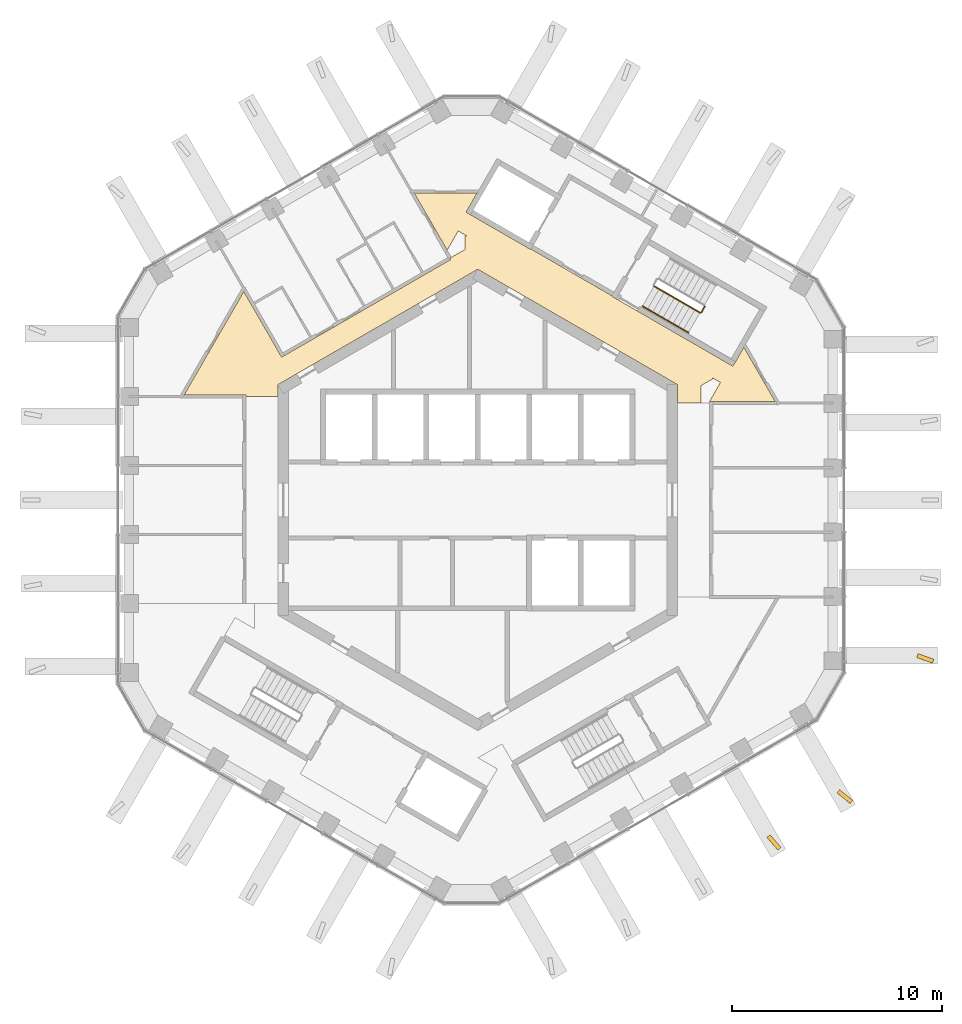
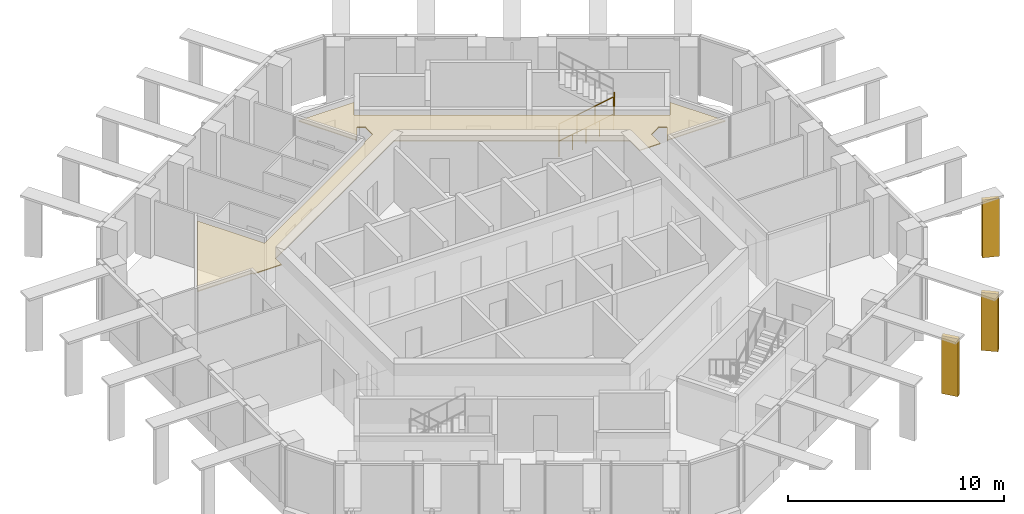
# One storey, part 17 of 19: 4 railings, 3 shading devices, 1 covering.
"""IFC4 building model written with IfcOpenShell, lengths in metres."""

import ifcopenshell
import ifcopenshell.guid

model = None  # the IFC model being written
_history = None  # IfcOwnerHistory: only IFC2X3 demands one
_inside = {}  # id of a spatial element -> (the spatial element, [elements in it])
_under = {}  # id of a project, library or spatial element -> (it, [spatial elements below it])
_declared = {}  # id of a project -> (the project, [libraries it declares])
_typed = {}  # id of a type object -> (the type object, [elements of that type])
_made_of = {}  # id of a material, layer set ... -> (it, [elements and type objects made of it])


def new_model(schema):
    """Start an empty IFC model of exactly this schema.

    Asked for "IFC4X3", IfcOpenShell would pick the latest addendum, in which some entities
    have other attributes; the version numbers below select the first issue.
    IFC2X3 requires an IfcOwnerHistory on every rooted entity: one is made here for all.
    """
    global model, _history
    if schema == "IFC4X3":
        model = ifcopenshell.file(schema_version=(4, 3, 0, 0))
    else:
        model = ifcopenshell.file(schema=schema)
    _inside.clear()
    _under.clear()
    _declared.clear()
    _typed.clear()
    _made_of.clear()
    _history = None
    if model.schema == "IFC2X3":
        org = make("IfcOrganization", Name="unknown")
        user = make(
            "IfcPersonAndOrganization",
            ThePerson=make("IfcPerson", FamilyName="unknown"),
            TheOrganization=org,
        )
        app = make(
            "IfcApplication",
            ApplicationDeveloper=org,
            Version="unknown",
            ApplicationFullName="unknown",
            ApplicationIdentifier="unknown",
        )
        _history = make(
            "IfcOwnerHistory",
            OwningUser=user,
            OwningApplication=app,
            ChangeAction="ADDED",
            CreationDate=0,
        )
    return model


def make(cls, **values):
    """One entity of the class cls with the attributes given. An attribute that is None is left unset."""
    return model.create_entity(
        cls, **{name: value for name, value in values.items() if value is not None}
    )


def rooted(cls, **values):
    """An entity with a GlobalId (a new one), such as an element, a storey or a relation."""
    return make(cls, GlobalId=ifcopenshell.guid.new(), OwnerHistory=_history, **values)


def si_unit(unit_type, name, prefix=None):
    """IfcSIUnit, for example si_unit("LENGTHUNIT", "METRE", prefix="MILLI")."""
    return make("IfcSIUnit", UnitType=unit_type, Prefix=prefix, Name=name)


def assignment(units):
    """IfcUnitAssignment: the units of a project."""
    return None if units is None else make("IfcUnitAssignment", Units=units)


def point(xyz):
    """IfcCartesianPoint."""
    return None if xyz is None else make("IfcCartesianPoint", Coordinates=xyz)


def direction(xyz):
    """IfcDirection."""
    return None if xyz is None else make("IfcDirection", DirectionRatios=xyz)


def frame(location, z_axis=None, x_axis=None):
    """IfcAxis2Placement3D, a coordinate frame: its origin and axes. An axis left out is left unset."""
    return make(
        "IfcAxis2Placement3D",
        Location=point(location),
        Axis=direction(z_axis),
        RefDirection=direction(x_axis),
    )


def frame_2d(location, x_axis=None):
    """IfcAxis2Placement2D, a coordinate frame in the plane: its origin and x axis."""
    return make(
        "IfcAxis2Placement2D", Location=point(location), RefDirection=direction(x_axis)
    )


def origin():
    """The frame at (0, 0, 0) with its axes left unset."""
    return frame((0.0, 0.0, 0.0))


def origin_2d():
    """The frame at (0, 0) in the plane with its x axis left unset."""
    return frame_2d((0.0, 0.0))


def place(relative_to, where):
    """IfcLocalPlacement: puts the frame where relative to a parent placement (None: the world)."""
    return make(
        "IfcLocalPlacement", PlacementRelTo=relative_to, RelativePlacement=where
    )


def context(
    kind, dimensions, precision=None, world=None, true_north=None, identifier=None
):
    """IfcGeometricRepresentationContext, for example the 3D "Model" context."""
    return make(
        "IfcGeometricRepresentationContext",
        ContextIdentifier=identifier,
        ContextType=kind,
        CoordinateSpaceDimension=dimensions,
        Precision=precision,
        WorldCoordinateSystem=world,
        TrueNorth=true_north,
    )


def subcontext(parent, identifier, kind, view, scale=None):
    """IfcGeometricRepresentationSubContext, for example "Body" below "Model"."""
    return make(
        "IfcGeometricRepresentationSubContext",
        ContextIdentifier=identifier,
        ContextType=kind,
        ParentContext=parent,
        TargetScale=scale,
        TargetView=view,
    )


def project(units=None, contexts=None):
    """IfcProject with its units and contexts."""
    return rooted(
        "IfcProject",
        Name="project",
        RepresentationContexts=contexts,
        UnitsInContext=assignment(units),
    )


def spatial(cls, under=None, at=None, **own):
    """A site, building, storey or space (cls), placed at a placement, below another one or the project."""
    s = rooted(cls, ObjectPlacement=at, **own)
    if under is not None:
        _under.setdefault(under.id(), (under, []))[1].append(s)
    return s


def polyline(points):
    """IfcPolyline through the points."""
    return make("IfcPolyline", Points=[point(p) for p in points])


def profile(cls, at=None, kind="AREA", **sizes):
    """A parametric profile (cls). Its sizes go by their IFC names, for example OverallWidth=200.0."""
    return make(cls, ProfileType=kind, Position=at, **sizes)


def circle(**sizes):
    """IfcCircleProfileDef."""
    return profile("IfcCircleProfileDef", **sizes)


def outline(outer, holes=None, kind="AREA"):
    """IfcArbitraryClosedProfileDef: a profile drawn as a closed curve; with holes, ...WithVoids."""
    if holes is None:
        return make("IfcArbitraryClosedProfileDef", ProfileType=kind, OuterCurve=outer)
    return make(
        "IfcArbitraryProfileDefWithVoids",
        ProfileType=kind,
        OuterCurve=outer,
        InnerCurves=holes,
    )


def extrude(swept, where, along, depth):
    """IfcExtrudedAreaSolid: the profile swept, set in the frame where, extruded along a direction by depth."""
    return make(
        "IfcExtrudedAreaSolid",
        SweptArea=swept,
        Position=where,
        ExtrudedDirection=direction(along),
        Depth=depth,
    )


def shape(context_of_items, identifier, shape_type, items):
    """IfcShapeRepresentation: the items that make up one representation, for example the "Body"."""
    return make(
        "IfcShapeRepresentation",
        ContextOfItems=context_of_items,
        RepresentationIdentifier=identifier,
        RepresentationType=shape_type,
        Items=items,
    )


def material(Name=None, Category=None):
    """IfcMaterial."""
    return make("IfcMaterial", Name=Name, Category=Category)


def layer(
    of_material, thickness, ventilated=None, Name=None, Category=None, Priority=None
):
    """IfcMaterialLayer: one layer of a wall or slab, of a material (None: an air gap)."""
    return make(
        "IfcMaterialLayer",
        Material=of_material,
        LayerThickness=thickness,
        IsVentilated=ventilated,
        Name=Name,
        Category=Category,
        Priority=Priority,
    )


def layer_set(layers, Name=None):
    """IfcMaterialLayerSet."""
    return make("IfcMaterialLayerSet", MaterialLayers=layers, LayerSetName=Name)


def made_of(thing, what):
    """Note that an element or type object is made of a material, layer set ...; save() writes the relation."""
    if what is not None:
        _made_of.setdefault(what.id(), (what, []))[1].append(thing)
    return thing


def type_object(cls, material=None, **own):
    """A type object (cls), such as IfcWallType, which elements share."""
    return made_of(rooted(cls, **own), material)


def element(
    cls,
    number,
    at=None,
    inside=None,
    cuts=None,
    type_object=None,
    material=None,
    context=None,
    identifier="Body",
    shape_type=None,
    held_by="IfcProductDefinitionShape",
    body=None,
    shapes=None,
    **own,
):
    """One element of the class cls, such as IfcWall. Its Tag is "e" and its number.

    at: its placement. inside: the storey or other place that contains it. cuts: it is an
    opening in that element (IfcRelVoidsElement). A single representation is given by context,
    identifier, shape_type and body (its items); several are given by shapes. held_by: the class
    of the entity that holds the representations. save() writes the other relations.
    """
    e = rooted(cls, Tag="e%d" % number, ObjectPlacement=at, **own)
    if body is not None:
        shapes = [shape(context, identifier, shape_type, body)]
    if shapes is not None:
        e.Representation = make(held_by, Representations=shapes)
    if inside is not None:
        _inside.setdefault(inside.id(), (inside, []))[1].append(e)
    if cuts is not None:
        rooted(
            "IfcRelVoidsElement", RelatingBuildingElement=cuts, RelatedOpeningElement=e
        )
    if type_object is not None:
        _typed.setdefault(type_object.id(), (type_object, []))[1].append(e)
    return made_of(e, material)


def aggregate(whole, parts):
    """IfcRelAggregates: a whole, such as a stair, and the parts it consists of."""
    return rooted("IfcRelAggregates", RelatingObject=whole, RelatedObjects=parts)


def save(model, path):
    """Write the relations noted so far, then the file.

    IfcRelAggregates (storeys below a building ...), IfcRelContainedInSpatialStructure (elements
    in a storey), IfcRelDefinesByType, IfcRelAssociatesMaterial and IfcRelDeclares: one each for
    every whole, place, type object, material and project.
    """
    for whole, parts in _under.values():
        aggregate(whole, parts)
    for where, things in _inside.values():
        rooted(
            "IfcRelContainedInSpatialStructure",
            RelatedElements=things,
            RelatingStructure=where,
        )
    for kind, things in _typed.values():
        rooted("IfcRelDefinesByType", RelatedObjects=things, RelatingType=kind)
    for what, things in _made_of.values():
        rooted("IfcRelAssociatesMaterial", RelatedObjects=things, RelatingMaterial=what)
    for by, libraries in _declared.values():
        rooted("IfcRelDeclares", RelatingContext=by, RelatedDefinitions=libraries)
    model.write(path)


model = new_model("IFC4")

# Units and contexts
model_context = context("Model", 3, precision=1e-05, world=origin(), true_north=direction((0.0, 1.0)))
body_context = subcontext(model_context, "Body", "Model", "MODEL_VIEW")
ifc_project = project(units=[si_unit("LENGTHUNIT", "METRE"), si_unit("AREAUNIT", "SQUARE_METRE"), si_unit("VOLUMEUNIT", "CUBIC_METRE"), si_unit("PLANEANGLEUNIT", "RADIAN"), si_unit("MASSUNIT", "GRAM", prefix="KILO")], contexts=[model_context])

# Site, building, storey
site_placement = place(None, origin())
site = spatial("IfcSite", under=ifc_project, at=site_placement, CompositionType="ELEMENT")
building_placement = place(site_placement, origin())
building = spatial("IfcBuilding", under=site, at=building_placement, Name="Ayvan Gate Tower", CompositionType="ELEMENT")
storey_placement = place(building_placement, frame((0.0, 0.0, 235.89990234375)))
storey = spatial("IfcBuildingStorey", under=building, at=storey_placement, Name="L63", CompositionType="ELEMENT", Elevation=235.89990234375)

# Covering
ifc_material_1 = material(Name="Plasterboard suspended ceiling")
ifc_layer_1 = layer(ifc_material_1, 0.050048828125)
ifc_layer_set_1 = layer_set([ifc_layer_1], Name="Plasterboard suspended ceiling")
covering_type = type_object("IfcCoveringType", Name="CT-SUSP-50", PredefinedType="CEILING", material=ifc_layer_set_1)
covering_placement = place(storey_placement, frame((0.0, 0.0, 2.7001953125)))
element("IfcCovering", 1, at=covering_placement, inside=storey, type_object=covering_type, Name="Ceiling Gallery L63", PredefinedType="CEILING", context=body_context, shape_type="SweptSolid", body=[
    extrude(outline(polyline([(-0.53955078125, 12.56298828125), (-0.930419921875, 12.78857421875), (-1.454833984375, 11.880126953125), (-3.01904296875, 14.589599609375), (-0.034912109375, 14.589599609375), (-0.55615234375, 13.686767578125), (-0.339599609375, 13.561767578125), (2.518310546875, 11.91162109375), (2.53076171875, 11.933349609375), (6.384521484375, 9.70849609375), (6.3720703125, 9.686767578125), (6.588623046875, 9.561767578125), (12.131103515625, 6.36181640625), (12.24609375, 6.56103515625), (12.65234375, 7.264404296875), (14.14453125, 4.68017578125), (11.01611328125, 4.68017578125), (11.540283203125, 5.58837890625), (11.149658203125, 5.814208984375), (11.1796875, 5.76171875), (10.6201171875, 5.438720703125), (10.6201171875, 4.605224609375), (9.5, 4.605224609375), (9.5, 5.48486328125), (4.66748046875, 8.27490234375), (0.0, 10.9697265625), (-4.667724609375, 8.27490234375), (-8.73828125, 5.924560546875), (-9.5, 5.48486328125), (-9.5, 4.91357421875), (-11.02490234375, 4.91357421875), (-11.02490234375, 4.988525390625), (-13.96630859375, 4.988525390625), (-11.12548828125, 9.9091796875), (-9.32568359375, 6.7919921875), (-9.19580078125, 6.8671875), (-1.2841796875, 11.434814453125), (-1.32177734375, 11.499755859375), (-0.60009765625, 11.91650390625), (-0.60009765625, 12.56298828125), (-0.53955078125, 12.56298828125)])), origin(), (0.0, 0.0, 1.0), 0.0498046875),
])

# Shading devices
ifc_material_2 = material(Name="Bronze anodised aluminium", Category="aluminium")
ifc_layer_2 = layer(ifc_material_2, 0.199951171875)
ifc_layer_set_2 = layer_set([ifc_layer_2], Name="Bronze anodised aluminium")
shading_device_type = type_object("IfcShadingDeviceType", Name="Crown frame rib 800 x 200", PredefinedType="USERDEFINED", material=ifc_layer_set_2)
shading_device_1_placement = place(storey_placement, frame((13.74560546875, -16.045166015625, 0.0), z_axis=(-0.756373290165, -0.654140063534, 0.000472445857), x_axis=(0.654140136501, -0.75637337461, -1.01681e-07)))
element("IfcShadingDevice", 2, at=shading_device_1_placement, inside=storey, type_object=shading_device_type, Name="CROWN FRAME rib FR01.6.4", ObjectType="FIN", PredefinedType="USERDEFINED", context=body_context, shape_type="SweptSolid", body=[
    extrude(outline(polyline([(0.0, 0.0), (0.8000175557077763, 0.0), (0.799892425757897, 3.280029744268559), (-0.0001001706632318833, 3.2800295815779172), (0.0, 0.0)])), origin(), (0.0, 0.0, -1.0), 0.199951171875),
])
shading_device_2_placement = place(storey_placement, frame((17.080810546875, -13.930419921875, 0.0), z_axis=(-0.628372553279, -0.777912403258, 0.000476594881), x_axis=(0.777912491607, -0.628372624644, 0.0)))
element("IfcShadingDevice", 3, at=shading_device_2_placement, inside=storey, type_object=shading_device_type, Name="CROWN FRAME rib FR01.6.5", ObjectType="FIN", PredefinedType="USERDEFINED", context=body_context, shape_type="SweptSolid", body=[
    extrude(outline(polyline([(0.0, 0.0), (0.7999800232538845, 0.0), (0.7999726469949016, 3.2800296693923876), (-7.376258983020877e-06, 3.2800296693923876), (0.0, 0.0)])), origin(), (0.0, 0.0, -1.0), 0.199951171875),
])
shading_device_3_placement = place(storey_placement, frame((20.866943359375, -7.493408203125, 0.0), z_axis=(-0.333841456389, -0.942629121376, 0.000470670461), x_axis=(0.942629225786, -0.333841493367, 0.0)))
element("IfcShadingDevice", 4, at=shading_device_3_placement, inside=storey, type_object=shading_device_type, Name="CROWN FRAME rib FR01.1.1", ObjectType="FIN", PredefinedType="USERDEFINED", context=body_context, shape_type="SweptSolid", body=[
    extrude(outline(polyline([(0.0, 0.0), (0.8000498711419429, 1.3552527156068805e-20), (0.8000211136935473, 3.280029660188625), (-2.875744839563746e-05, 3.280029660188625), (0.0, 0.0)])), origin(), (0.0, 0.0, -1.0), 0.199951171875),
])

# Railings
ifc_material_3 = material(Name="Stainless steel balustrade", Category="steel")
railing_type_1 = type_object("IfcRailingType", Name="RL-GUARD-1100", PredefinedType="GUARDRAIL", material=ifc_material_3)
railing_1_placement = place(storey_placement, frame((8.381103515625, 10.16650390625, 0.170166015625)))
element("IfcRailing", 5, at=railing_1_placement, inside=storey, type_object=railing_type_1, Name="L63 STS1 stair guard 1", PredefinedType="GUARDRAIL", context=body_context, shape_type="SweptSolid", body=[
    extrude(circle(Radius=0.02392578125, at=origin_2d()), frame((0.0, 0.0, 1.076171875), z_axis=(0.740261155115, -0.427395438142, 0.518986090067), x_axis=(0.500004791531, 0.866022637375, 0.0)), (0.0, 0.0, 1.0), 2.947998046875),
    extrude(circle(Radius=0.02099609375, at=origin_2d()), origin(), (0.0, 0.0, 1.0), 1.052001953125),
    extrude(circle(Radius=0.02099609375, at=origin_2d()), frame((0.7275390625, -0.419921875, 0.510009765625)), (0.0, 0.0, 1.0), 1.052001953125),
    extrude(circle(Radius=0.02099609375, at=origin_2d()), frame((1.454833984375, -0.840087890625, 1.02001953125)), (0.0, 0.0, 1.0), 1.052001953125),
    extrude(circle(Radius=0.02099609375, at=origin_2d()), frame((2.182373046875, -1.260009765625, 1.530029296875)), (0.0, 0.0, 1.0), 1.052001953125),
])
railing_2_placement = place(storey_placement, frame((10.6318359375, 8.9248046875, 1.7001953125)))
element("IfcRailing", 6, at=railing_2_placement, inside=storey, type_object=railing_type_1, Name="L63 STS1 stair guard 2", PredefinedType="GUARDRAIL", context=body_context, shape_type="SweptSolid", body=[
    extrude(circle(Radius=0.02392578125, at=origin_2d()), frame((0.0, 0.0, 1.076171875), z_axis=(0.499949632511, 0.866054481515, 0.0), x_axis=(-0.866054481515, 0.499949632511, 0.0)), (0.0, 0.0, 1.0), 0.31005859375),
    extrude(circle(Radius=0.02099609375, at=origin_2d()), origin(), (0.0, 0.0, 1.0), 1.052001953125),
    extrude(circle(Radius=0.02099609375, at=origin_2d()), frame((0.155029296875, 0.2685546875, 0.0)), (0.0, 0.0, 1.0), 1.052001953125),
])
railing_type_2 = type_object("IfcRailingType", Name="RL-HANDRAIL-900", PredefinedType="HANDRAIL", material=ifc_material_3)
railing_3_placement = place(storey_placement, frame((7.8310546875, 9.2138671875, 0.170166015625)))
element("IfcRailing", 7, at=railing_3_placement, inside=storey, type_object=railing_type_2, Name="L63 STS1 stair handrail 1", PredefinedType="HANDRAIL", context=body_context, shape_type="SweptSolid", body=[
    extrude(circle(Radius=0.02392578125, at=origin_2d()), frame((0.0, 0.0, 0.8759765625), z_axis=(0.740356597536, -0.427319915356, 0.518912129772), x_axis=(0.499890179513, 0.866088799389, 0.0)), (0.0, 0.0, 1.0), 1.47412109375),
    extrude(circle(Radius=0.02099609375, at=origin_2d()), origin(), (0.0, 0.0, 1.0), 0.851806640625),
    extrude(circle(Radius=0.02099609375, at=origin_2d()), frame((0.545654296875, -0.31494140625, 0.38232421875)), (0.0, 0.0, 1.0), 0.851806640625),
    extrude(circle(Radius=0.02099609375, at=origin_2d()), frame((1.09130859375, -0.6298828125, 0.764892578125)), (0.0, 0.0, 1.0), 0.851806640625),
])
railing_4_placement = place(storey_placement, frame((8.92236328125, 8.583984375, 0.93505859375)))
element("IfcRailing", 8, at=railing_4_placement, inside=storey, type_object=railing_type_2, Name="L63 STS1 stair handrail 2", PredefinedType="HANDRAIL", context=body_context, shape_type="SweptSolid", body=[
    extrude(circle(Radius=0.02392578125, at=origin_2d()), frame((0.0, 0.0, 0.8759765625), z_axis=(0.740165700939, -0.427470949681, 0.519060037311), x_axis=(0.50011940292, 0.865956455501, 0.0)), (0.0, 0.0, 1.0), 1.47412109375),
    extrude(circle(Radius=0.02099609375, at=origin_2d()), origin(), (0.0, 0.0, 1.0), 0.851806640625),
    extrude(circle(Radius=0.02099609375, at=origin_2d()), frame((0.54541015625, -0.31494140625, 0.382568359375)), (0.0, 0.0, 1.0), 0.851806640625),
    extrude(circle(Radius=0.02099609375, at=origin_2d()), frame((1.091064453125, -0.630126953125, 0.76513671875)), (0.0, 0.0, 1.0), 0.851806640625),
])

save(model, "model.ifc")
